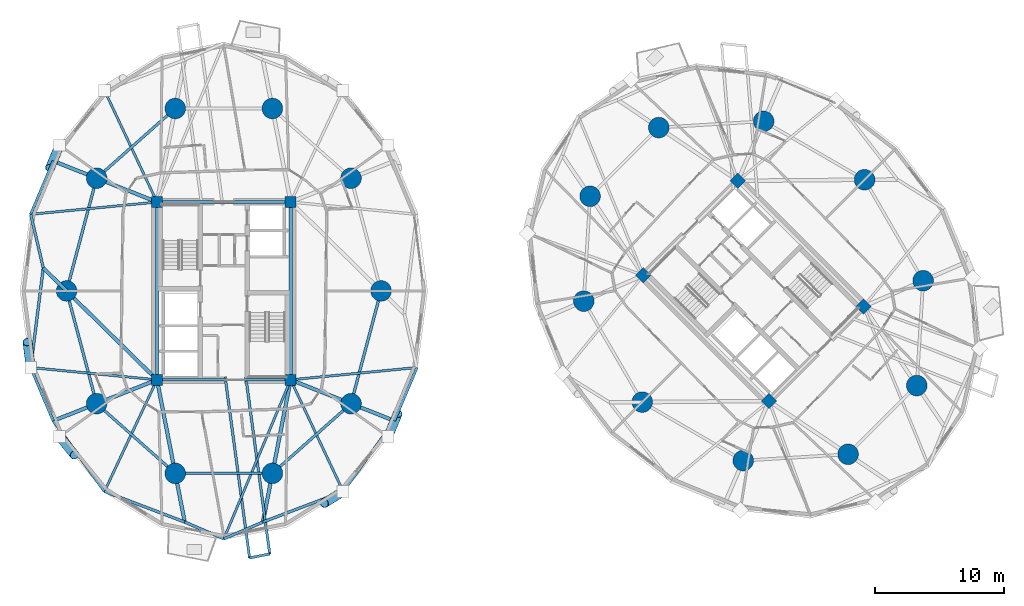
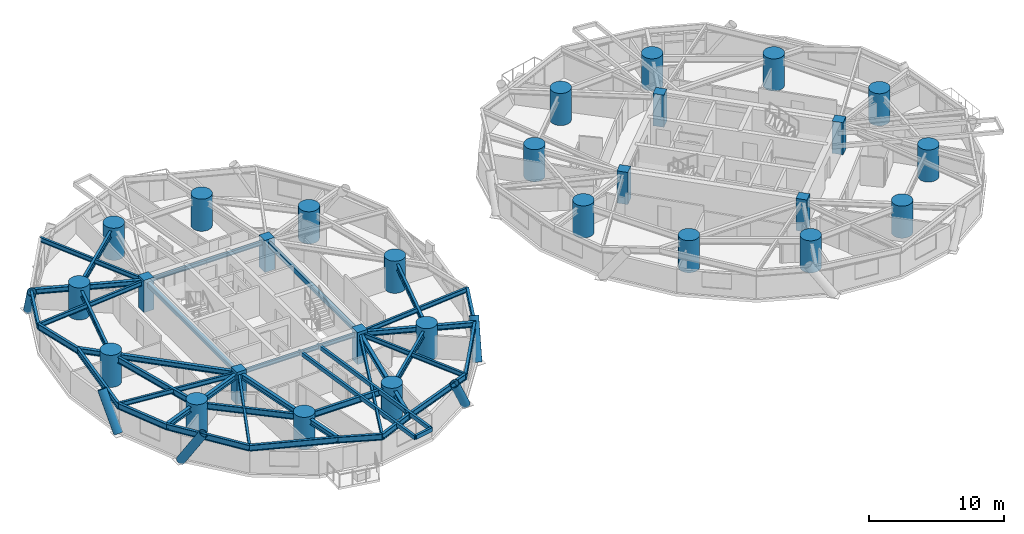
# One storey, part 1 of 19: 39 beams, 28 columns, 5 members.
"""IFC4 building model written with IfcOpenShell, lengths in metres."""

from ifc_helpers import new_model, si_unit, direction, frame, origin, origin_2d, place, context, subcontext, project, spatial, rectangle, hollow_rectangle, circle, hollow_circle, i_section, extrude, material, material_profile, profile_set, type_object, element, save


model = new_model("IFC4")

# Units and contexts
model_context = context("Model", 3, precision=1e-05, world=origin(), true_north=direction((0.0, 1.0)))
body_context = subcontext(model_context, "Body", "Model", "MODEL_VIEW")
ifc_project = project(units=[si_unit("LENGTHUNIT", "METRE"), si_unit("AREAUNIT", "SQUARE_METRE"), si_unit("VOLUMEUNIT", "CUBIC_METRE"), si_unit("PLANEANGLEUNIT", "RADIAN"), si_unit("MASSUNIT", "GRAM", prefix="KILO")], contexts=[model_context])

# Site, building, storey
site_placement = place(None, origin())
site = spatial("IfcSite", under=ifc_project, at=site_placement, CompositionType="ELEMENT")
building_placement = place(site_placement, origin())
building = spatial("IfcBuilding", under=site, at=building_placement, Name="Cununo Teusaquillo Station Towers", CompositionType="ELEMENT")
storey_placement = place(building_placement, frame((0.0, 0.0, 30.72998046875)))
storey = spatial("IfcBuildingStorey", under=building, at=storey_placement, Name="L08", CompositionType="ELEMENT", Elevation=30.72998046875)

# Columns
ifc_material_1 = material(Name="Concrete C50/60", Category="concrete")
ifc_material_profile_1 = material_profile(ifc_material_1, rectangle(XDim=0.85009765625, YDim=0.85009765625, at=origin_2d()), Name="RC-RECT-850x850")
ifc_profile_set_1 = profile_set([ifc_material_profile_1], Name="Concrete C50/60")
column_type_1 = type_object("IfcColumnType", Name="COL-CORE-Z1", PredefinedType="COLUMN", material=ifc_profile_set_1)
for number, where, z_axis, x_axis, name in (
    (1, (11.324951171875, 17.6201171875, 0.0), (0.0, 0.0, 1.0), (1.0, 0.0, 0.0), "L08 Tower A Core Column 1"),
    (2, (11.324951171875, 31.3798828125, 0.0), (0.0, 0.0, 1.0), (1.0, 0.0, 0.0), "L08 Tower A Core Column 2"),
    (3, (21.675048828125, 17.6201171875, 0.0), (0.0, 0.0, 1.0), (1.0, 0.0, 0.0), "L08 Tower A Core Column 3"),
    (4, (21.675048828125, 31.3798828125, 0.0), (0.0, 0.0, 1.0), (1.0, 0.0, 0.0), "L08 Tower A Core Column 4"),
    (5, (58.70556640625, 15.975830078125, 0.0), (0.0, 0.0, 1.0), (0.707106781187, 0.707106781187, 0.0), "L08 Tower B Core Column 1"),
    (6, (48.975830078125, 25.70556640625, 0.0), (0.0, 0.0, 1.0), (0.707106781187, 0.707106781187, 0.0), "L08 Tower B Core Column 2"),
    (7, (66.024169921875, 23.29443359375, 0.0), (0.0, 0.0, 1.0), (0.707106781187, 0.707106781187, 0.0), "L08 Tower B Core Column 3"),
    (8, (56.29443359375, 33.024169921875, 0.0), (0.0, 0.0, 1.0), (0.707106781187, 0.707106781187, 0.0), "L08 Tower B Core Column 4"),
):
    element("IfcColumn", number, at=place(storey_placement, frame(where, z_axis=z_axis, x_axis=x_axis)), inside=storey, type_object=column_type_1, Name=name, PredefinedType="COLUMN", context=body_context, shape_type="SweptSolid", body=[
        extrude(rectangle(XDim=0.85009765625, YDim=0.85009765625, at=origin_2d()), origin(), (0.0, 0.0, 1.0), 2.909912109375),
    ])
ifc_material_2 = material(Name="Concrete C60/75", Category="concrete")
ifc_material_profile_2 = material_profile(ifc_material_2, circle(Radius=0.800048828125, at=origin_2d()), Name="RC-CIRC-1600")
ifc_profile_set_2 = profile_set([ifc_material_profile_2], Name="Concrete C60/75")
column_type_2 = type_object("IfcColumnType", Name="COL-MEGA-Z1", PredefinedType="USERDEFINED", material=ifc_profile_set_2)
for number, where, z_axis, x_axis, name in (
    (9, (28.672119140625, 24.5, 0.0), (0.0, 0.0, 1.0), (1.0, 0.0, 0.0), "L08 Tower A Perimeter Column V00"),
    (10, (26.347412109375, 33.228515625, 0.0), (0.0, 0.0, 1.0), (1.0, 0.0, 0.0), "L08 Tower A Perimeter Column V02"),
    (11, (20.261474609375, 38.623291015625, 0.0), (0.0, 0.0, 1.0), (1.0, 0.0, 0.0), "L08 Tower A Perimeter Column V04"),
    (12, (12.738525390625, 38.623291015625, 0.0), (0.0, 0.0, 1.0), (1.0, 0.0, 0.0), "L08 Tower A Perimeter Column V06"),
    (13, (6.652587890625, 33.228515625, 0.0), (0.0, 0.0, 1.0), (1.0, 0.0, 0.0), "L08 Tower A Perimeter Column V08"),
    (14, (4.327880859375, 24.5, 0.0), (0.0, 0.0, 1.0), (1.0, 0.0, 0.0), "L08 Tower A Perimeter Column V10"),
    (15, (6.652587890625, 15.771484375, 0.0), (0.0, 0.0, 1.0), (1.0, 0.0, 0.0), "L08 Tower A Perimeter Column V12"),
    (16, (12.738525390625, 10.376708984375, 0.0), (0.0, 0.0, 1.0), (1.0, 0.0, 0.0), "L08 Tower A Perimeter Column V14"),
    (17, (20.261474609375, 10.376708984375, 0.0), (0.0, 0.0, 1.0), (1.0, 0.0, 0.0), "L08 Tower A Perimeter Column V16"),
    (18, (26.347412109375, 15.771484375, 0.0), (0.0, 0.0, 1.0), (1.0, 0.0, 0.0), "L08 Tower A Perimeter Column V18"),
    (19, (66.10693359375, 33.10693359375, 0.0), (0.0, 0.0, 1.0), (1.0, 0.0, 0.0), "L08 Tower B Perimeter Column V00"),
    (20, (58.291015625, 37.63525390625, 0.0), (0.0, 0.0, 1.0), (1.0, 0.0, 0.0), "L08 Tower B Perimeter Column V02"),
    (21, (50.173095703125, 37.146240234375, 0.0), (0.0, 0.0, 1.0), (1.0, 0.0, 0.0), "L08 Tower B Perimeter Column V04"),
    (22, (44.853759765625, 31.826904296875, 0.0), (0.0, 0.0, 1.0), (1.0, 0.0, 0.0), "L08 Tower B Perimeter Column V06"),
    (23, (44.36474609375, 23.708984375, 0.0), (0.0, 0.0, 1.0), (1.0, 0.0, 0.0), "L08 Tower B Perimeter Column V08"),
    (24, (48.89306640625, 15.89306640625, 0.0), (0.0, 0.0, 1.0), (1.0, 0.0, 0.0), "L08 Tower B Perimeter Column V10"),
    (25, (56.708984375, 11.36474609375, 0.0), (0.0, 0.0, 1.0), (1.0, 0.0, 0.0), "L08 Tower B Perimeter Column V12"),
    (26, (64.826904296875, 11.853759765625, 0.0), (0.0, 0.0, 1.0), (1.0, 0.0, 0.0), "L08 Tower B Perimeter Column V14"),
    (27, (70.146240234375, 17.173095703125, 0.0), (0.0, 0.0, 1.0), (1.0, 0.0, 0.0), "L08 Tower B Perimeter Column V16"),
    (28, (70.63525390625, 25.291015625, 0.0), (0.0, 0.0, 1.0), (1.0, 0.0, 0.0), "L08 Tower B Perimeter Column V18"),
):
    element("IfcColumn", number, at=place(storey_placement, frame(where, z_axis=z_axis, x_axis=x_axis)), inside=storey, type_object=column_type_2, Name=name, ObjectType="MEGA COLUMN", PredefinedType="USERDEFINED", context=body_context, shape_type="SweptSolid", body=[
        extrude(circle(Radius=0.800048828125, at=origin_2d()), origin(), (0.0, 0.0, 1.0), 2.909912109375),
    ])

# Beams
ifc_material_3 = material(Name="Steel EN 10025-2 S355J2", Category="steel")
ifc_material_profile_3 = material_profile(ifc_material_3, hollow_rectangle(XDim=0.199951171875, YDim=0.35009765625, WallThickness=0.013916015625, at=origin_2d()), Name="RHS 350x200x14")
ifc_profile_set_3 = profile_set([ifc_material_profile_3], Name="Steel EN 10025-2 S355J2")
beam_type_1 = type_object("IfcBeamType", Name="BM-BAL-CANT", PredefinedType="BEAM", material=ifc_profile_set_3)
beam_1_placement = place(storey_placement, frame((16.59765625, 17.85009765625, 2.47509765625), z_axis=(0.133963716843, -0.990986237326, 0.0), x_axis=(0.990986237326, 0.133963716843, 0.0)))
element("IfcBeam", 29, at=beam_1_placement, inside=storey, type_object=beam_type_1, Name="L08 Tower A Balcony Cantilever Bracket 2A", PredefinedType="BEAM", context=body_context, shape_type="SweptSolid", body=[
    extrude(hollow_rectangle(XDim=0.199951171875, YDim=0.35009765625, WallThickness=0.013916015625, at=origin_2d()), origin(), (0.0, 0.0, 1.0), 14.14208984375),
])
beam_2_placement = place(storey_placement, frame((18.200439453125, 17.85009765625, 2.47509765625), z_axis=(0.133965193427, -0.990986037717, 0.0), x_axis=(0.990986037717, 0.133965193427, 0.0)))
element("IfcBeam", 30, at=beam_2_placement, inside=storey, type_object=beam_type_1, Name="L08 Tower A Balcony Cantilever Bracket 2B", PredefinedType="BEAM", context=body_context, shape_type="SweptSolid", body=[
    extrude(hollow_rectangle(XDim=0.199951171875, YDim=0.35009765625, WallThickness=0.013916015625, at=origin_2d()), origin(), (0.0, 0.0, 1.0), 13.837646484375),
])
ifc_material_4 = material(Name="Steel EN 10025-2 S355J2", Category="steel")
ifc_material_profile_4 = material_profile(ifc_material_4, hollow_rectangle(XDim=0.25, YDim=0.449951171875, WallThickness=0.01611328125, at=origin_2d()), Name="RHS 450x250x16")
ifc_profile_set_4 = profile_set([ifc_material_profile_4], Name="Steel EN 10025-2 S355J2")
beam_type_2 = type_object("IfcBeamType", Name="BM-COUP-1", PredefinedType="USERDEFINED", material=ifc_profile_set_4)
for number, where, z_axis, x_axis, name in (
    (31, (11.324951171875, 17.6201171875, 2.425048828125), (0.0, 1.0, 0.0), (-1.0, 0.0, 0.0), "L08 Tower A Core Beam 1"),
    (32, (21.675048828125, 17.6201171875, 2.425048828125), (0.0, 1.0, 0.0), (-1.0, 0.0, 0.0), "L08 Tower A Core Beam 2"),
):
    element("IfcBeam", number, at=place(storey_placement, frame(where, z_axis=z_axis, x_axis=x_axis)), inside=storey, type_object=beam_type_2, Name=name, ObjectType="COUPLING BEAM", PredefinedType="USERDEFINED", context=body_context, shape_type="SweptSolid", body=[
        extrude(hollow_rectangle(XDim=0.25, YDim=0.449951171875, WallThickness=0.01611328125, at=origin_2d()), origin(), (0.0, 0.0, 1.0), 13.759765625),
    ])
ifc_material_5 = material(Name="Steel ASTM A572 Grade 50", Category="steel")
ifc_material_profile_5 = material_profile(ifc_material_5, i_section(OverallWidth=0.180908203125, OverallDepth=0.4169921875, WebThickness=0.010986328125, FlangeThickness=0.018310546875, FilletRadius=0.012939453125, at=origin_2d()), Name="W16X57")
ifc_profile_set_5 = profile_set([ifc_material_profile_5], Name="Steel ASTM A572 Grade 50")
beam_type_3 = type_object("IfcBeamType", Name="BM-JOIST-1", PredefinedType="JOIST", material=ifc_profile_set_5)
beam_3_placement = place(storey_placement, frame((11.324951171875, 31.3798828125, 2.44140625), z_axis=(-0.425472080871, 0.904971551155, 0.0), x_axis=(-0.904971551155, -0.425472080871, 0.0)))
element("IfcBeam", 33, at=beam_3_placement, inside=storey, type_object=beam_type_3, Name="L08 Tower A Radial Spandrel Joist V07", PredefinedType="JOIST", context=body_context, shape_type="SweptSolid", body=[
    extrude(i_section(OverallWidth=0.180908203125, OverallDepth=0.4169921875, WebThickness=0.010986328125, FlangeThickness=0.018310546875, FilletRadius=0.012939453125, at=origin_2d()), origin(), (0.0, 0.0, 1.0), 9.552734375),
])
for number, where, z_axis, x_axis, name in (
    (34, (11.324951171875, 31.3798828125, 2.44140625), (-0.995310719276, -0.096729375545, 0.0), (0.096729375545, -0.995310719276, 0.0), "L08 Tower A Radial Spandrel Joist V09"),
    (35, (11.324951171875, 17.6201171875, 2.44140625), (-0.995310719276, 0.096729375545, 0.0), (-0.096729375545, -0.995310719276, 0.0), "L08 Tower A Radial Spandrel Joist V11"),
):
    element("IfcBeam", number, at=place(storey_placement, frame(where, z_axis=z_axis, x_axis=x_axis)), inside=storey, type_object=beam_type_3, Name=name, PredefinedType="JOIST", context=body_context, shape_type="SweptSolid", body=[
        extrude(i_section(OverallWidth=0.180908203125, OverallDepth=0.4169921875, WebThickness=0.010986328125, FlangeThickness=0.018310546875, FilletRadius=0.012939453125, at=origin_2d()), origin(), (0.0, 0.0, 1.0), 9.82080078125),
    ])
beam_4_placement = place(storey_placement, frame((11.324951171875, 17.6201171875, 2.44140625), z_axis=(-0.425472080871, -0.904971551155, 0.0), x_axis=(0.904971551155, -0.425472080871, 0.0)))
element("IfcBeam", 36, at=beam_4_placement, inside=storey, type_object=beam_type_3, Name="L08 Tower A Radial Spandrel Joist V13", PredefinedType="JOIST", context=body_context, shape_type="SweptSolid", body=[
    extrude(i_section(OverallWidth=0.180908203125, OverallDepth=0.4169921875, WebThickness=0.010986328125, FlangeThickness=0.018310546875, FilletRadius=0.012939453125, at=origin_2d()), origin(), (0.0, 0.0, 1.0), 9.552734375),
])
beam_5_placement = place(storey_placement, frame((21.675048828125, 17.6201171875, 2.44140625), z_axis=(-0.387539558454, -0.92185307432, 0.0), x_axis=(0.92185307432, -0.387539558454, 0.0)))
element("IfcBeam", 37, at=beam_5_placement, inside=storey, type_object=beam_type_3, Name="L08 Tower A Radial Spandrel Joist V15", PredefinedType="JOIST", context=body_context, shape_type="SweptSolid", body=[
    extrude(i_section(OverallWidth=0.180908203125, OverallDepth=0.4169921875, WebThickness=0.010986328125, FlangeThickness=0.018310546875, FilletRadius=0.012939453125, at=origin_2d()), origin(), (0.0, 0.0, 1.0), 13.353515625),
])
beam_6_placement = place(storey_placement, frame((21.675048828125, 17.6201171875, 2.44140625), z_axis=(0.425472080871, -0.904971551155, 0.0), x_axis=(0.904971551155, 0.425472080871, 0.0)))
element("IfcBeam", 38, at=beam_6_placement, inside=storey, type_object=beam_type_3, Name="L08 Tower A Radial Spandrel Joist V17", PredefinedType="JOIST", context=body_context, shape_type="SweptSolid", body=[
    extrude(i_section(OverallWidth=0.180908203125, OverallDepth=0.4169921875, WebThickness=0.010986328125, FlangeThickness=0.018310546875, FilletRadius=0.012939453125, at=origin_2d()), origin(), (0.0, 0.0, 1.0), 9.552734375),
])
beam_7_placement = place(storey_placement, frame((21.675048828125, 17.6201171875, 2.44140625), z_axis=(0.995310719276, 0.096729375545, 0.0), x_axis=(-0.096729375545, 0.995310719276, 0.0)))
element("IfcBeam", 39, at=beam_7_placement, inside=storey, type_object=beam_type_3, Name="L08 Tower A Radial Spandrel Joist V19", PredefinedType="JOIST", context=body_context, shape_type="SweptSolid", body=[
    extrude(i_section(OverallWidth=0.180908203125, OverallDepth=0.4169921875, WebThickness=0.010986328125, FlangeThickness=0.018310546875, FilletRadius=0.012939453125, at=origin_2d()), origin(), (0.0, 0.0, 1.0), 9.82080078125),
])
ifc_material_6 = material(Name="Steel ASTM A572 Grade 50", Category="steel")
ifc_material_profile_6 = material_profile(ifc_material_6, i_section(OverallWidth=0.2041015625, OverallDepth=0.35009765625, WebThickness=0.008544921875, FlangeThickness=0.01513671875, FilletRadius=0.011962890625, at=origin_2d()), Name="W14X48")
ifc_profile_set_6 = profile_set([ifc_material_profile_6], Name="Steel ASTM A572 Grade 50")
beam_type_4 = type_object("IfcBeamType", Name="BM-LINTEL-1", PredefinedType="LINTEL", material=ifc_profile_set_6)
for number, where, z_axis, x_axis, name in (
    (40, (11.324951171875, 17.6201171875, 2.47509765625), (1.0, 0.0, 0.0), (0.0, 1.0, 0.0), "L08 Tower A Core Beam 3"),
    (41, (11.324951171875, 31.3798828125, 2.47509765625), (1.0, 0.0, 0.0), (0.0, 1.0, 0.0), "L08 Tower A Core Beam 4"),
):
    element("IfcBeam", number, at=place(storey_placement, frame(where, z_axis=z_axis, x_axis=x_axis)), inside=storey, type_object=beam_type_4, Name=name, PredefinedType="LINTEL", context=body_context, shape_type="SweptSolid", body=[
        extrude(i_section(OverallWidth=0.2041015625, OverallDepth=0.35009765625, WebThickness=0.008544921875, FlangeThickness=0.01513671875, FilletRadius=0.011962890625, at=origin_2d()), origin(), (0.0, 0.0, 1.0), 10.35009765625),
    ])
ifc_material_7 = material(Name="Steel ASTM A572 Grade 50", Category="steel")
ifc_material_profile_7 = material_profile(ifc_material_7, i_section(OverallWidth=0.280029296875, OverallDepth=0.462890625, WebThickness=0.0107421875, FlangeThickness=0.017333984375, FilletRadius=0.013916015625, at=origin_2d()), Name="W18X76")
ifc_profile_set_7 = profile_set([ifc_material_profile_7], Name="Steel ASTM A572 Grade 50")
beam_type_5 = type_object("IfcBeamType", Name="BM-RAD-G1", PredefinedType="BEAM", material=ifc_profile_set_7)
beam_8_placement = place(storey_placement, frame((11.324951171875, 31.3798828125, 2.41845703125), z_axis=(-0.929864879908, 0.367901216516, 0.0), x_axis=(-0.367901216516, -0.929864879908, 0.0)))
element("IfcBeam", 42, at=beam_8_placement, inside=storey, type_object=beam_type_5, Name="L08 Tower A Continuous Overhanging Radial Girder 05", PredefinedType="BEAM", context=body_context, shape_type="SweptSolid", body=[
    extrude(i_section(OverallWidth=0.280029296875, OverallDepth=0.462890625, WebThickness=0.0107421875, FlangeThickness=0.017333984375, FilletRadius=0.013916015625, at=origin_2d()), origin(), (0.0, 0.0, 1.0), 8.631591796875),
])
beam_9_placement = place(storey_placement, frame((11.324951171875, 17.6201171875, 2.41845703125), z_axis=(-0.713052701438, 0.701110437073, 0.0), x_axis=(-0.701110437073, -0.713052701438, 0.0)))
element("IfcBeam", 43, at=beam_9_placement, inside=storey, type_object=beam_type_5, Name="L08 Tower A Radial Girder 06A", PredefinedType="BEAM", context=body_context, shape_type="SweptSolid", body=[
    extrude(i_section(OverallWidth=0.280029296875, OverallDepth=0.462890625, WebThickness=0.0107421875, FlangeThickness=0.017333984375, FilletRadius=0.013916015625, at=origin_2d()), origin(), (0.0, 0.0, 1.0), 9.812744140625),
])
beam_10_placement = place(storey_placement, frame((4.327880859375, 24.5, 2.41845703125), z_axis=(-0.713066306507, 0.701096599995, 0.0), x_axis=(-0.701096599995, -0.713066306507, 0.0)))
element("IfcBeam", 44, at=beam_10_placement, inside=storey, type_object=beam_type_5, Name="L08 Tower A Perimeter Overhang Girder 06B", PredefinedType="BEAM", context=body_context, shape_type="SweptSolid", body=[
    extrude(i_section(OverallWidth=0.280029296875, OverallDepth=0.462890625, WebThickness=0.0107421875, FlangeThickness=0.017333984375, FilletRadius=0.013916015625, at=origin_2d()), origin(), (0.0, 0.0, 1.0), 2.529052734375),
])
beam_11_placement = place(storey_placement, frame((11.324951171875, 17.6201171875, 2.41845703125), z_axis=(-0.929864879908, -0.367901216516, 0.0), x_axis=(0.367901216516, -0.929864879908, 0.0)))
element("IfcBeam", 45, at=beam_11_placement, inside=storey, type_object=beam_type_5, Name="L08 Tower A Continuous Overhanging Radial Girder 07", PredefinedType="BEAM", context=body_context, shape_type="SweptSolid", body=[
    extrude(i_section(OverallWidth=0.280029296875, OverallDepth=0.462890625, WebThickness=0.0107421875, FlangeThickness=0.017333984375, FilletRadius=0.013916015625, at=origin_2d()), origin(), (0.0, 0.0, 1.0), 8.631591796875),
])
for number, where, z_axis, x_axis, name in (
    (46, (11.324951171875, 17.6201171875, 2.41845703125), (0.191549210283, -0.981483010571, 0.0), (0.981483010571, 0.191549210283, 0.0), "L08 Tower A Continuous Overhanging Radial Girder 08"),
    (47, (21.675048828125, 17.6201171875, 2.41845703125), (-0.191549210283, -0.981483010571, 0.0), (0.981483010571, -0.191549210283, 0.0), "L08 Tower A Continuous Overhanging Radial Girder 09"),
):
    element("IfcBeam", number, at=place(storey_placement, frame(where, z_axis=z_axis, x_axis=x_axis)), inside=storey, type_object=beam_type_5, Name=name, PredefinedType="BEAM", context=body_context, shape_type="SweptSolid", body=[
        extrude(i_section(OverallWidth=0.280029296875, OverallDepth=0.462890625, WebThickness=0.0107421875, FlangeThickness=0.017333984375, FilletRadius=0.013916015625, at=origin_2d()), origin(), (0.0, 0.0, 1.0), 11.22119140625),
    ])
beam_12_placement = place(storey_placement, frame((21.675048828125, 17.6201171875, 2.41845703125), z_axis=(0.929864879908, -0.367901216516, 0.0), x_axis=(0.367901216516, 0.929864879908, 0.0)))
element("IfcBeam", 48, at=beam_12_placement, inside=storey, type_object=beam_type_5, Name="L08 Tower A Continuous Overhanging Radial Girder 10", PredefinedType="BEAM", context=body_context, shape_type="SweptSolid", body=[
    extrude(i_section(OverallWidth=0.280029296875, OverallDepth=0.462890625, WebThickness=0.0107421875, FlangeThickness=0.017333984375, FilletRadius=0.013916015625, at=origin_2d()), origin(), (0.0, 0.0, 1.0), 8.631591796875),
])
ifc_material_8 = material(Name="Steel ASTM A572 Grade 50", Category="steel")
ifc_material_profile_8 = material_profile(ifc_material_8, i_section(OverallWidth=0.214111328125, OverallDepth=0.549072265625, WebThickness=0.0146484375, FlangeThickness=0.023681640625, FilletRadius=0.014892578125, at=origin_2d()), Name="W21X93")
ifc_profile_set_8 = profile_set([ifc_material_profile_8], Name="Steel ASTM A572 Grade 50")
beam_type_6 = type_object("IfcBeamType", Name="BM-RING-Z1", PredefinedType="SPANDREL", material=ifc_profile_set_8)
beam_13_placement = place(storey_placement, frame((12.738525390625, 38.623291015625, 2.37548828125), z_axis=(-0.74832120039, -0.66333655187, 0.0), x_axis=(0.66333655187, -0.74832120039, 0.0)))
element("IfcBeam", 49, at=beam_13_placement, inside=storey, type_object=beam_type_6, Name="L08 Tower A Structural Column Ring Girder 04", PredefinedType="SPANDREL", context=body_context, shape_type="SweptSolid", body=[
    extrude(i_section(OverallWidth=0.214111328125, OverallDepth=0.549072265625, WebThickness=0.0146484375, FlangeThickness=0.023681640625, FilletRadius=0.014892578125, at=origin_2d()), origin(), (0.0, 0.0, 1.0), 8.1328125),
])
for number, where, z_axis, x_axis, name in (
    (50, (6.652587890625, 33.228515625, 2.37548828125), (-0.257363196347, -0.966314744359, 0.0), (0.966314744359, -0.257363196347, 0.0), "L08 Tower A Structural Column Ring Girder 05"),
    (51, (4.327880859375, 24.5, 2.37548828125), (0.257363196347, -0.966314744359, 0.0), (0.966314744359, 0.257363196347, 0.0), "L08 Tower A Structural Column Ring Girder 06"),
):
    element("IfcBeam", number, at=place(storey_placement, frame(where, z_axis=z_axis, x_axis=x_axis)), inside=storey, type_object=beam_type_6, Name=name, PredefinedType="SPANDREL", context=body_context, shape_type="SweptSolid", body=[
        extrude(i_section(OverallWidth=0.214111328125, OverallDepth=0.549072265625, WebThickness=0.0146484375, FlangeThickness=0.023681640625, FilletRadius=0.014892578125, at=origin_2d()), origin(), (0.0, 0.0, 1.0), 9.03271484375),
    ])
beam_14_placement = place(storey_placement, frame((6.652587890625, 15.771484375, 2.37548828125), z_axis=(0.74832120039, -0.66333655187, 0.0), x_axis=(0.66333655187, 0.74832120039, 0.0)))
element("IfcBeam", 52, at=beam_14_placement, inside=storey, type_object=beam_type_6, Name="L08 Tower A Structural Column Ring Girder 07", PredefinedType="SPANDREL", context=body_context, shape_type="SweptSolid", body=[
    extrude(i_section(OverallWidth=0.214111328125, OverallDepth=0.549072265625, WebThickness=0.0146484375, FlangeThickness=0.023681640625, FilletRadius=0.014892578125, at=origin_2d()), origin(), (0.0, 0.0, 1.0), 8.1328125),
])
beam_15_placement = place(storey_placement, frame((12.738525390625, 10.376708984375, 2.37548828125), z_axis=(1.0, 0.0, 0.0), x_axis=(0.0, 1.0, 0.0)))
element("IfcBeam", 53, at=beam_15_placement, inside=storey, type_object=beam_type_6, Name="L08 Tower A Structural Column Ring Girder 08", PredefinedType="SPANDREL", context=body_context, shape_type="SweptSolid", body=[
    extrude(i_section(OverallWidth=0.214111328125, OverallDepth=0.549072265625, WebThickness=0.0146484375, FlangeThickness=0.023681640625, FilletRadius=0.014892578125, at=origin_2d()), origin(), (0.0, 0.0, 1.0), 7.52294921875),
])
beam_16_placement = place(storey_placement, frame((20.261474609375, 10.376708984375, 2.37548828125), z_axis=(0.74832120039, 0.66333655187, 0.0), x_axis=(-0.66333655187, 0.74832120039, 0.0)))
element("IfcBeam", 54, at=beam_16_placement, inside=storey, type_object=beam_type_6, Name="L08 Tower A Structural Column Ring Girder 09", PredefinedType="SPANDREL", context=body_context, shape_type="SweptSolid", body=[
    extrude(i_section(OverallWidth=0.214111328125, OverallDepth=0.549072265625, WebThickness=0.0146484375, FlangeThickness=0.023681640625, FilletRadius=0.014892578125, at=origin_2d()), origin(), (0.0, 0.0, 1.0), 8.1328125),
])
beam_17_placement = place(storey_placement, frame((26.347412109375, 15.771484375, 2.37548828125), z_axis=(0.257363196347, 0.966314744359, 0.0), x_axis=(-0.966314744359, 0.257363196347, 0.0)))
element("IfcBeam", 55, at=beam_17_placement, inside=storey, type_object=beam_type_6, Name="L08 Tower A Structural Column Ring Girder 10", PredefinedType="SPANDREL", context=body_context, shape_type="SweptSolid", body=[
    extrude(i_section(OverallWidth=0.214111328125, OverallDepth=0.549072265625, WebThickness=0.0146484375, FlangeThickness=0.023681640625, FilletRadius=0.014892578125, at=origin_2d()), origin(), (0.0, 0.0, 1.0), 9.03271484375),
])
beam_18_placement = place(storey_placement, frame((3.298828125, 34.555419921875, 2.37548828125), z_axis=(-0.390233589069, -0.920715887754, 0.0), x_axis=(0.920715887754, -0.390233589069, 0.0)))
element("IfcBeam", 56, at=beam_18_placement, inside=storey, type_object=beam_type_6, Name="L08 Tower A Spandrel Ring Beam 09", PredefinedType="SPANDREL", context=body_context, shape_type="SweptSolid", body=[
    extrude(i_section(OverallWidth=0.214111328125, OverallDepth=0.549072265625, WebThickness=0.0146484375, FlangeThickness=0.023681640625, FilletRadius=0.014892578125, at=origin_2d()), origin(), (0.0, 0.0, 1.0), 4.480712890625),
])
beam_19_placement = place(storey_placement, frame((1.55029296875, 30.429931640625, 2.37548828125), z_axis=(0.228165913287, -0.97362226557, 0.0), x_axis=(0.97362226557, 0.228165913287, 0.0)))
element("IfcBeam", 57, at=beam_19_placement, inside=storey, type_object=beam_type_6, Name="L08 Tower A Spandrel Ring Beam 10", PredefinedType="SPANDREL", context=body_context, shape_type="SweptSolid", body=[
    extrude(i_section(OverallWidth=0.214111328125, OverallDepth=0.549072265625, WebThickness=0.0146484375, FlangeThickness=0.023681640625, FilletRadius=0.014892578125, at=origin_2d()), origin(), (0.0, 0.0, 1.0), 4.269287109375),
])
beam_20_placement = place(storey_placement, frame((2.5244140625, 26.273193359375, 2.37548828125), z_axis=(-0.125458746224, -0.992098837312, 0.0), x_axis=(0.992098837312, -0.125458746224, 0.0)))
element("IfcBeam", 58, at=beam_20_placement, inside=storey, type_object=beam_type_6, Name="L08 Tower A Spandrel Ring Beam 11", PredefinedType="SPANDREL", context=body_context, shape_type="SweptSolid", body=[
    extrude(i_section(OverallWidth=0.214111328125, OverallDepth=0.549072265625, WebThickness=0.0146484375, FlangeThickness=0.023681640625, FilletRadius=0.014892578125, at=origin_2d()), origin(), (0.0, 0.0, 1.0), 7.764404296875),
])
beam_21_placement = place(storey_placement, frame((1.55029296875, 18.570068359375, 2.37548828125), z_axis=(0.390233589069, -0.920715887754, 0.0), x_axis=(0.920715887754, 0.390233589069, 0.0)))
element("IfcBeam", 59, at=beam_21_placement, inside=storey, type_object=beam_type_6, Name="L08 Tower A Spandrel Ring Beam 12", PredefinedType="SPANDREL", context=body_context, shape_type="SweptSolid", body=[
    extrude(i_section(OverallWidth=0.214111328125, OverallDepth=0.549072265625, WebThickness=0.0146484375, FlangeThickness=0.023681640625, FilletRadius=0.014892578125, at=origin_2d()), origin(), (0.0, 0.0, 1.0), 4.480712890625),
])
beam_22_placement = place(storey_placement, frame((3.298828125, 14.444580078125, 2.37548828125), z_axis=(0.586607937648, -0.809871056087, 0.0), x_axis=(0.809871056087, 0.586607937648, 0.0)))
element("IfcBeam", 60, at=beam_22_placement, inside=storey, type_object=beam_type_6, Name="L08 Tower A Spandrel Ring Beam 13", PredefinedType="SPANDREL", context=body_context, shape_type="SweptSolid", body=[
    extrude(i_section(OverallWidth=0.214111328125, OverallDepth=0.549072265625, WebThickness=0.0146484375, FlangeThickness=0.023681640625, FilletRadius=0.014892578125, at=origin_2d()), origin(), (0.0, 0.0, 1.0), 6.75341796875),
])
beam_23_placement = place(storey_placement, frame((7.260498046875, 8.97509765625, 2.37548828125), z_axis=(0.934426653529, -0.356155624937, 0.0), x_axis=(0.356155624937, 0.934426653529, 0.0)))
element("IfcBeam", 61, at=beam_23_placement, inside=storey, type_object=beam_type_6, Name="L08 Tower A Spandrel Ring Beam 14", PredefinedType="SPANDREL", context=body_context, shape_type="SweptSolid", body=[
    extrude(i_section(OverallWidth=0.214111328125, OverallDepth=0.549072265625, WebThickness=0.0146484375, FlangeThickness=0.023681640625, FilletRadius=0.014892578125, at=origin_2d()), origin(), (0.0, 0.0, 1.0), 6.64990234375),
])
for number, where, z_axis, x_axis, name in (
    (62, (13.474365234375, 6.606689453125, 2.37548828125), (0.919152702301, -0.393901396104, 0.0), (0.393901396104, 0.919152702301, 0.0), "L08 Tower A Spandrel Ring Beam 15"),
    (63, (16.5, 5.31005859375, 2.37548828125), (0.919152702301, 0.393901396104, 0.0), (-0.393901396104, 0.919152702301, 0.0), "L08 Tower A Spandrel Ring Beam 16"),
):
    element("IfcBeam", number, at=place(storey_placement, frame(where, z_axis=z_axis, x_axis=x_axis)), inside=storey, type_object=beam_type_6, Name=name, PredefinedType="SPANDREL", context=body_context, shape_type="SweptSolid", body=[
        extrude(i_section(OverallWidth=0.214111328125, OverallDepth=0.549072265625, WebThickness=0.0146484375, FlangeThickness=0.023681640625, FilletRadius=0.014892578125, at=origin_2d()), origin(), (0.0, 0.0, 1.0), 3.291748046875),
    ])
beam_24_placement = place(storey_placement, frame((19.525634765625, 6.606689453125, 2.37548828125), z_axis=(0.934426653529, 0.356155624937, 0.0), x_axis=(-0.356155624937, 0.934426653529, 0.0)))
element("IfcBeam", 64, at=beam_24_placement, inside=storey, type_object=beam_type_6, Name="L08 Tower A Spandrel Ring Beam 17", PredefinedType="SPANDREL", context=body_context, shape_type="SweptSolid", body=[
    extrude(i_section(OverallWidth=0.214111328125, OverallDepth=0.549072265625, WebThickness=0.0146484375, FlangeThickness=0.023681640625, FilletRadius=0.014892578125, at=origin_2d()), origin(), (0.0, 0.0, 1.0), 6.64990234375),
])
beam_25_placement = place(storey_placement, frame((25.739501953125, 8.97509765625, 2.37548828125), z_axis=(0.586607937648, 0.809871056087, 0.0), x_axis=(-0.809871056087, 0.586607937648, 0.0)))
element("IfcBeam", 65, at=beam_25_placement, inside=storey, type_object=beam_type_6, Name="L08 Tower A Spandrel Ring Beam 18", PredefinedType="SPANDREL", context=body_context, shape_type="SweptSolid", body=[
    extrude(i_section(OverallWidth=0.214111328125, OverallDepth=0.549072265625, WebThickness=0.0146484375, FlangeThickness=0.023681640625, FilletRadius=0.014892578125, at=origin_2d()), origin(), (0.0, 0.0, 1.0), 6.75341796875),
])
beam_26_placement = place(storey_placement, frame((29.701171875, 14.444580078125, 2.37548828125), z_axis=(0.390233589069, 0.920715887754, 0.0), x_axis=(-0.920715887754, 0.390233589069, 0.0)))
element("IfcBeam", 66, at=beam_26_placement, inside=storey, type_object=beam_type_6, Name="L08 Tower A Spandrel Ring Beam 19", PredefinedType="SPANDREL", context=body_context, shape_type="SweptSolid", body=[
    extrude(i_section(OverallWidth=0.214111328125, OverallDepth=0.549072265625, WebThickness=0.0146484375, FlangeThickness=0.023681640625, FilletRadius=0.014892578125, at=origin_2d()), origin(), (0.0, 0.0, 1.0), 4.480712890625),
])
ifc_material_9 = material(Name="Steel EN 10025-2 S355J2", Category="steel")
ifc_material_profile_9 = material_profile(ifc_material_9, hollow_rectangle(XDim=0.199951171875, YDim=0.35009765625, WallThickness=0.013916015625, at=origin_2d()), Name="RHS 350x200x14")
ifc_profile_set_9 = profile_set([ifc_material_profile_9], Name="Steel EN 10025-2 S355J2")
beam_type_7 = type_object("IfcBeamType", Name="BM-STAIR-TRIM", PredefinedType="BEAM", material=ifc_profile_set_9)
beam_27_placement = place(storey_placement, frame((18.4921875, 3.83544921875, 2.52490234375), z_axis=(0.981846285306, 0.18967833833, 0.0), x_axis=(-0.18967833833, 0.981846285306, 0.0)))
element("IfcBeam", 67, at=beam_27_placement, inside=storey, type_object=beam_type_7, Name="L08 Tower A Balcony Edge Trimmer Beam 2", PredefinedType="BEAM", context=body_context, shape_type="SweptSolid", body=[
    extrude(hollow_rectangle(XDim=0.199951171875, YDim=0.35009765625, WallThickness=0.013916015625, at=origin_2d()), origin(), (0.0, 0.0, 1.0), 1.5908203125),
])

# Members
ifc_material_10 = material(Name="Steel EN 10025-2 S355J2", Category="steel")
ifc_material_profile_10 = material_profile(ifc_material_10, hollow_circle(Radius=0.360107421875, WallThickness=0.028076171875, at=origin_2d()), Name="CHS 720x28")
ifc_profile_set_10 = profile_set([ifc_material_profile_10], Name="Steel EN 10025-2 S355J2")
member_type = type_object("IfcMemberType", Name="MBR-DIAG-Z1", PredefinedType="BRACE", material=ifc_profile_set_10)
member_1_placement = place(storey_placement, frame((3.783203125, 35.779541015625, -0.139892578125), z_axis=(-0.213103546094, -0.510497966767, 0.833053842539), x_axis=(0.922822536657, -0.385225344231, 0.0)))
element("IfcMember", 68, at=member_1_placement, inside=storey, type_object=member_type, Name="L08 Tower A Folded-Zigzag Diagrid Tube C08", PredefinedType="BRACE", context=body_context, shape_type="SweptSolid", body=[
    extrude(hollow_circle(Radius=0.360107421875, WallThickness=0.028076171875, at=origin_2d()), origin(), (0.0, 0.0, 1.0), 3.4931640625),
])
member_2_placement = place(storey_placement, frame((1.55029296875, 18.570068359375, -0.139892578125), z_axis=(-0.072680412222, 0.560400587951, 0.825026507879), x_axis=(-0.991694407423, -0.128616493058, 0.0)))
element("IfcMember", 69, at=member_2_placement, inside=storey, type_object=member_type, Name="L08 Tower A Folded-Zigzag Diagrid Tube C10", PredefinedType="BRACE", context=body_context, shape_type="SweptSolid", body=[
    extrude(hollow_circle(Radius=0.360107421875, WallThickness=0.028076171875, at=origin_2d()), origin(), (0.0, 0.0, 1.0), 3.527099609375),
])
member_3_placement = place(storey_placement, frame((3.783203125, 13.220458984375, -0.139892578125), z_axis=(0.337255650481, -0.411696240562, 0.846619649976), x_axis=(0.773576579346, 0.633702829319, 0.0)))
element("IfcMember", 70, at=member_3_placement, inside=storey, type_object=member_type, Name="L08 Tower A Folded-Zigzag Diagrid Tube C12", PredefinedType="BRACE", context=body_context, shape_type="SweptSolid", body=[
    extrude(hollow_circle(Radius=0.360107421875, WallThickness=0.028076171875, at=origin_2d()), origin(), (0.0, 0.0, 1.0), 3.43701171875),
])
member_4_placement = place(storey_placement, frame((25.739501953125, 8.97509765625, -0.139892578125), z_axis=(-0.432109885705, -0.26881380488, 0.86082529295), x_axis=(0.528224584169, -0.849104698303, 0.0)))
element("IfcMember", 71, at=member_4_placement, inside=storey, type_object=member_type, Name="L08 Tower A Folded-Zigzag Diagrid Tube C16", PredefinedType="BRACE", context=body_context, shape_type="SweptSolid", body=[
    extrude(hollow_circle(Radius=0.360107421875, WallThickness=0.028076171875, at=origin_2d()), origin(), (0.0, 0.0, 1.0), 3.38037109375),
])
member_5_placement = place(storey_placement, frame((29.216796875, 13.220458984375, -0.139892578125), z_axis=(0.213103546094, 0.510497966767, 0.833053842539), x_axis=(-0.922822536657, 0.385225344231, 0.0)))
element("IfcMember", 72, at=member_5_placement, inside=storey, type_object=member_type, Name="L08 Tower A Folded-Zigzag Diagrid Tube C18", PredefinedType="BRACE", context=body_context, shape_type="SweptSolid", body=[
    extrude(hollow_circle(Radius=0.360107421875, WallThickness=0.028076171875, at=origin_2d()), origin(), (0.0, 0.0, 1.0), 3.4931640625),
])

save(model, "model.ifc")
